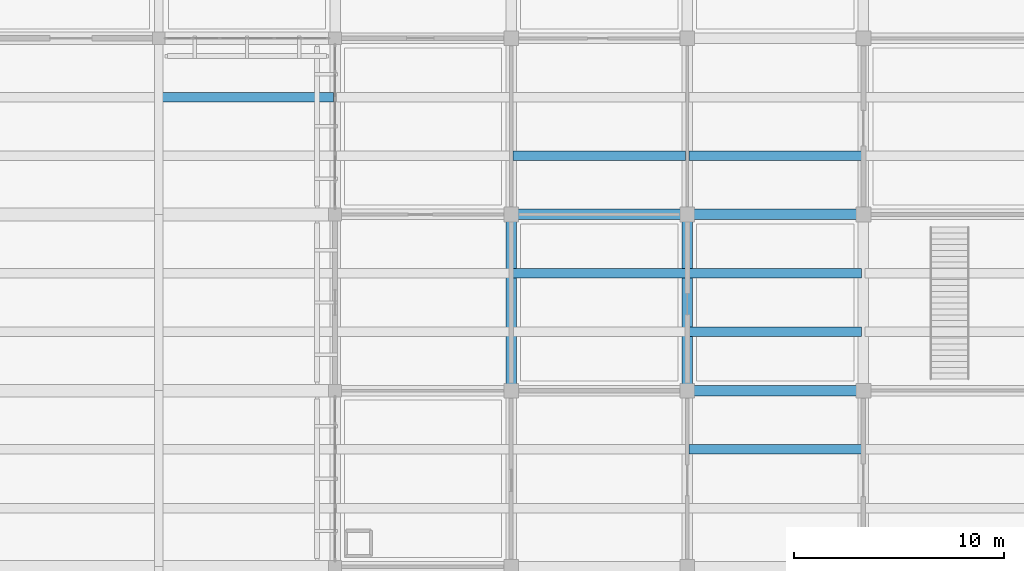
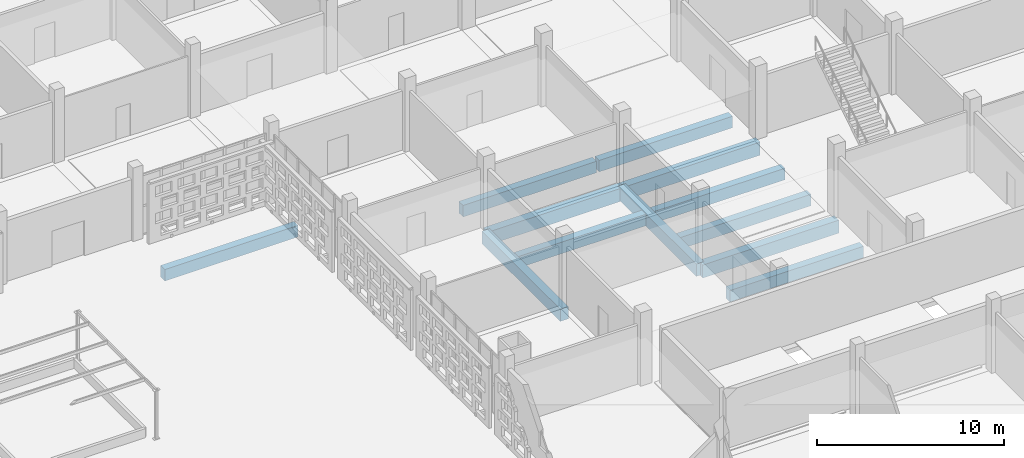
# One storey, part 42 of 129: 12 beams.
"""IFC4 building model written with IfcOpenShell, lengths in metres."""

from ifc_helpers import new_model, si_unit, direction, frame, origin, origin_2d, place, context, subcontext, project, spatial, rectangle, extrude, material, material_profile, profile_set, type_object, element, save


model = new_model("IFC4")

# Units and contexts
model_context = context("Model", 3, precision=1e-05, world=origin(), true_north=direction((0.0, 1.0)))
body_context = subcontext(model_context, "Body", "Model", "MODEL_VIEW")
ifc_project = project(units=[si_unit("LENGTHUNIT", "METRE"), si_unit("AREAUNIT", "SQUARE_METRE"), si_unit("VOLUMEUNIT", "CUBIC_METRE"), si_unit("PLANEANGLEUNIT", "RADIAN"), si_unit("MASSUNIT", "GRAM", prefix="KILO")], contexts=[model_context])

# Site, building, storey
site_placement = place(None, origin())
site = spatial("IfcSite", under=ifc_project, at=site_placement, CompositionType="ELEMENT")
building_placement = place(site_placement, origin())
building = spatial("IfcBuilding", under=site, at=building_placement, Name="Varnapada Polytechnic", CompositionType="ELEMENT")
storey_placement = place(building_placement, origin())
storey = spatial("IfcBuildingStorey", under=building, at=storey_placement, Name="L00", CompositionType="ELEMENT", Elevation=0.0)

# Beams
ifc_material = material(Name="Concrete C40/50", Category="concrete")
ifc_material_profile_1 = material_profile(ifc_material, rectangle(XDim=0.449951171875, YDim=0.75, at=origin_2d()), Name="RC 450x750")
ifc_profile_set_1 = profile_set([ifc_material_profile_1], Name="Concrete C40/50")
beam_type_1 = type_object("IfcBeamType", Name="Basement/podium secondary beam BB-01 (RC 450x750)", PredefinedType="BEAM", material=ifc_profile_set_1)
beam_1_placement = place(storey_placement, frame((126.080078125, 81.199951171875, -0.675048828125), z_axis=(1.0, 0.0, 0.0), x_axis=(0.0, 1.0, 0.0)))
element("IfcBeam", 1, at=beam_1_placement, inside=storey, type_object=beam_type_1, Name="L00 floor joist 16/10.2", PredefinedType="BEAM", context=body_context, shape_type="SweptSolid", body=[
    extrude(rectangle(XDim=0.449951171875, YDim=0.75, at=origin_2d()), origin(), (0.0, 0.0, 1.0), 8.239990234375),
])
for number, where, z_axis, x_axis, name in (
    (2, (142.8798828125, 72.800048828125, -0.675048828125), (1.0, 0.0, 0.0), (0.0, 1.0, 0.0), "L00 floor joist 18/9.2"),
    (3, (142.8798828125, 78.39990234375, -0.675048828125), (1.0, 0.0, 0.0), (0.0, 1.0, 0.0), "L00 floor joist 18/10.1"),
):
    element("IfcBeam", number, at=place(storey_placement, frame(where, z_axis=z_axis, x_axis=x_axis)), inside=storey, type_object=beam_type_1, Name=name, PredefinedType="BEAM", context=body_context, shape_type="SweptSolid", body=[
        extrude(rectangle(XDim=0.449951171875, YDim=0.75, at=origin_2d()), origin(), (0.0, 0.0, 1.0), 8.240234375),
    ])
for number, where, z_axis, x_axis, name in (
    (4, (151.280029296875, 64.39990234375, -0.675048828125), (1.0, 0.0, 0.0), (0.0, 1.0, 0.0), "L00 floor joist 19/8.2"),
    (5, (151.280029296875, 70.0, -0.675048828125), (1.0, 0.0, 0.0), (0.0, 1.0, 0.0), "L00 floor joist 19/9.1"),
    (6, (151.280029296875, 72.800048828125, -0.675048828125), (1.0, 0.0, 0.0), (0.0, 1.0, 0.0), "L00 floor joist 19/9.2"),
    (7, (151.280029296875, 78.39990234375, -0.675048828125), (1.0, 0.0, 0.0), (0.0, 1.0, 0.0), "L00 floor joist 19/10.1"),
):
    element("IfcBeam", number, at=place(storey_placement, frame(where, z_axis=z_axis, x_axis=x_axis)), inside=storey, type_object=beam_type_1, Name=name, PredefinedType="BEAM", context=body_context, shape_type="SweptSolid", body=[
        extrude(rectangle(XDim=0.449951171875, YDim=0.75, at=origin_2d()), origin(), (0.0, 0.0, 1.0), 8.239990234375),
    ])
ifc_material_profile_2 = material_profile(ifc_material, rectangle(XDim=0.5, YDim=0.800048828125, at=origin_2d()), Name="RC 500x800")
ifc_profile_set_2 = profile_set([ifc_material_profile_2], Name="Concrete C40/50")
beam_type_2 = type_object("IfcBeamType", Name="Refectory podium girder BB-03 (RC 500x800)", PredefinedType="BEAM", material=ifc_profile_set_2)
for number, where, z_axis, x_axis, name in (
    (8, (142.800048828125, 67.199951171875, -0.699951171875), (0.0, 1.0, 0.0), (-1.0, 0.0, 0.0), "L00 beam Y 9-10 at X18"),
    (9, (151.199951171875, 67.199951171875, -0.699951171875), (0.0, 1.0, 0.0), (-1.0, 0.0, 0.0), "L00 beam Y 9-10 at X19"),
):
    element("IfcBeam", number, at=place(storey_placement, frame(where, z_axis=z_axis, x_axis=x_axis)), inside=storey, type_object=beam_type_2, Name=name, PredefinedType="BEAM", context=body_context, shape_type="SweptSolid", body=[
        extrude(rectangle(XDim=0.5, YDim=0.800048828125, at=origin_2d()), origin(), (0.0, 0.0, 1.0), 8.400146484375),
    ])
ifc_material_profile_3 = material_profile(ifc_material, rectangle(XDim=0.5, YDim=0.85009765625, at=origin_2d()), Name="RC 500x850")
ifc_profile_set_3 = profile_set([ifc_material_profile_3], Name="Concrete C40/50")
beam_type_3 = type_object("IfcBeamType", Name="Standard podium primary girder BG-02 (RC 500x850)", PredefinedType="T_BEAM", material=ifc_profile_set_3)
beam_2_placement = place(storey_placement, frame((142.800048828125, 75.60009765625, -0.72509765625), z_axis=(1.0, 0.0, 0.0), x_axis=(0.0, 1.0, 0.0)))
element("IfcBeam", 10, at=beam_2_placement, inside=storey, type_object=beam_type_3, Name="L00 beam X 18-19 at Y10", PredefinedType="T_BEAM", context=body_context, shape_type="SweptSolid", body=[
    extrude(rectangle(XDim=0.5, YDim=0.85009765625, at=origin_2d()), origin(), (0.0, 0.0, 1.0), 8.39990234375),
])
for number, where, z_axis, x_axis, name in (
    (11, (151.199951171875, 67.199951171875, -0.72509765625), (1.0, 0.0, 0.0), (0.0, 1.0, 0.0), "L00 beam X 19-20 at Y9"),
    (12, (151.199951171875, 75.60009765625, -0.72509765625), (1.0, 0.0, 0.0), (0.0, 1.0, 0.0), "L00 beam X 19-20 at Y10"),
):
    element("IfcBeam", number, at=place(storey_placement, frame(where, z_axis=z_axis, x_axis=x_axis)), inside=storey, type_object=beam_type_3, Name=name, PredefinedType="T_BEAM", context=body_context, shape_type="SweptSolid", body=[
        extrude(rectangle(XDim=0.5, YDim=0.85009765625, at=origin_2d()), origin(), (0.0, 0.0, 1.0), 8.400146484375),
    ])

save(model, "model.ifc")
